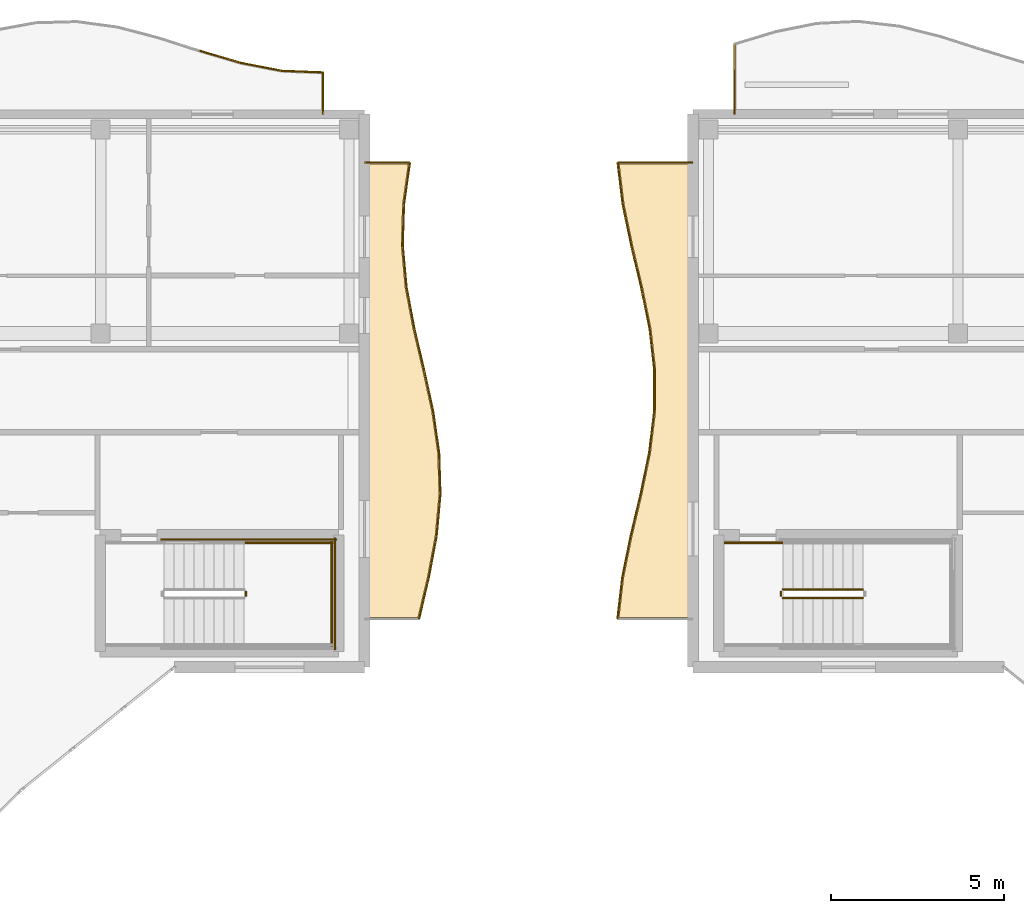
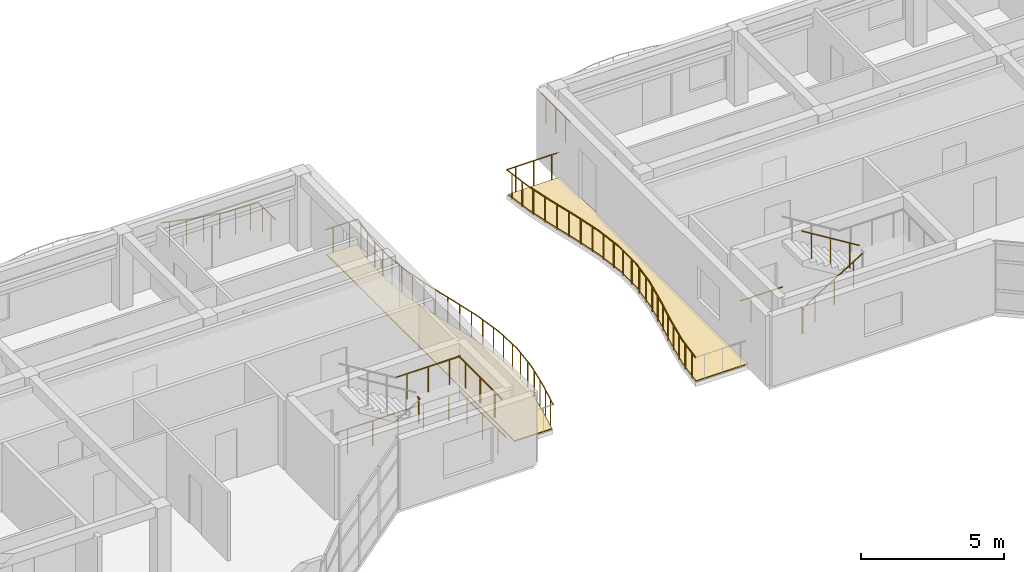
# One storey, part 65 of 68: 38 railings, 2 coverings.
"""IFC4 building model written with IfcOpenShell, lengths in metres."""

from ifc_helpers import new_model, si_unit, direction, frame, origin, origin_2d, place, context, subcontext, project, spatial, polyline, circle, outline, extrude, material, layer, layer_set, type_object, element, save


model = new_model("IFC4")

# Units and contexts
model_context = context("Model", 3, precision=1e-05, world=origin(), true_north=direction((0.0, 1.0)))
body_context = subcontext(model_context, "Body", "Model", "MODEL_VIEW")
ifc_project = project(units=[si_unit("LENGTHUNIT", "METRE"), si_unit("AREAUNIT", "SQUARE_METRE"), si_unit("VOLUMEUNIT", "CUBIC_METRE"), si_unit("PLANEANGLEUNIT", "RADIAN"), si_unit("MASSUNIT", "GRAM", prefix="KILO")], contexts=[model_context])

# Site, building, storey
site_placement = place(None, origin())
site = spatial("IfcSite", under=ifc_project, at=site_placement, CompositionType="ELEMENT")
building_placement = place(site_placement, origin())
building = spatial("IfcBuilding", under=site, at=building_placement, Name="Keldmere Railside Commons", CompositionType="ELEMENT")
storey_placement = place(building_placement, frame((0.0, 0.0, 23.360107421875)))
storey = spatial("IfcBuildingStorey", under=building, at=storey_placement, Name="L07", CompositionType="ELEMENT", Elevation=23.360107421875)

# Railings
ifc_material_1 = material(Name="Steel F-24 (S235)", Category="steel")
railing_type_1 = type_object("IfcRailingType", Name="Balcony & Terrace Steel Balustrade 1100", PredefinedType="BALUSTRADE", material=ifc_material_1)
railing_1_placement = place(storey_placement, frame((132.734375, 117.834716796875, 0.0)))
element("IfcRailing", 1, at=railing_1_placement, inside=storey, type_object=railing_type_1, Name="GR-1 GRD-L07-2663", PredefinedType="BALUSTRADE", context=body_context, shape_type="SweptSolid", body=[
    extrude(circle(Radius=0.02392578125, at=origin_2d()), frame((0.0, 0.0, 1.076171875), z_axis=(0.958764328469, -0.284202326619, 0.0), x_axis=(0.284202326619, 0.958764328469, 0.0)), (0.0, 0.0, 1.0), 1.239501953125),
    extrude(circle(Radius=0.02099609375, at=origin_2d()), frame((0.297119140625, -0.088134765625, 0.0)), (0.0, 0.0, 1.0), 1.048095703125),
    extrude(circle(Radius=0.02099609375, at=origin_2d()), frame((0.891357421875, -0.26416015625, 0.0)), (0.0, 0.0, 1.0), 1.048095703125),
])
railing_2_placement = place(storey_placement, frame((133.9228515625, 117.482421875, 0.0)))
element("IfcRailing", 2, at=railing_2_placement, inside=storey, type_object=railing_type_1, Name="GR-1 GRD-L07-2664", PredefinedType="BALUSTRADE", context=body_context, shape_type="SweptSolid", body=[
    extrude(circle(Radius=0.02392578125, at=origin_2d()), frame((0.0, 0.0, 1.076171875), z_axis=(0.981937321343, -0.189206492896, 0.0), x_axis=(0.189206492896, 0.981937321343, 0.0)), (0.0, 0.0, 1.0), 1.21044921875),
    extrude(circle(Radius=0.02099609375, at=origin_2d()), frame((0.297119140625, -0.05712890625, 0.0)), (0.0, 0.0, 1.0), 1.048095703125),
    extrude(circle(Radius=0.02099609375, at=origin_2d()), frame((0.891357421875, -0.171875, 0.0)), (0.0, 0.0, 1.0), 1.048095703125),
])
railing_3_placement = place(storey_placement, frame((135.111328125, 117.25341796875, 0.0)))
element("IfcRailing", 3, at=railing_3_placement, inside=storey, type_object=railing_type_1, Name="GR-1 GRD-L07-2665", PredefinedType="BALUSTRADE", context=body_context, shape_type="SweptSolid", body=[
    extrude(circle(Radius=0.02392578125, at=origin_2d()), frame((0.0, 0.0, 1.076171875), z_axis=(0.999247470345, -0.038787794597, 0.0), x_axis=(0.038787794597, 0.999247470345, 0.0)), (0.0, 0.0, 1.0), 1.189697265625),
    extrude(circle(Radius=0.02099609375, at=origin_2d()), frame((0.297119140625, -0.011474609375, 0.0)), (0.0, 0.0, 1.0), 1.048095703125),
    extrude(circle(Radius=0.02099609375, at=origin_2d()), frame((0.8916015625, -0.03466796875, 0.0)), (0.0, 0.0, 1.0), 1.048095703125),
])
railing_4_placement = place(storey_placement, frame((136.300048828125, 117.207275390625, 0.0)))
element("IfcRailing", 4, at=railing_4_placement, inside=storey, type_object=railing_type_1, Name="GR-1 GRD-L07-2666", PredefinedType="BALUSTRADE", context=body_context, shape_type="SweptSolid", body=[
    extrude(circle(Radius=0.02392578125, at=origin_2d()), frame((0.0, 0.0, 1.076171875), z_axis=(0.0, -1.0, 0.0), x_axis=(1.0, 0.0, 0.0)), (0.0, 0.0, 1.0), 1.207275390625),
    extrude(circle(Radius=0.02099609375, at=origin_2d()), frame((0.0, -0.3017578125, 0.0)), (0.0, 0.0, 1.0), 1.048095703125),
    extrude(circle(Radius=0.02099609375, at=origin_2d()), frame((0.0, -0.905517578125, 0.0)), (0.0, 0.0, 1.0), 1.048095703125),
])
railing_5_placement = place(storey_placement, frame((139.076904296875, 101.39990234375, 0.0)))
element("IfcRailing", 5, at=railing_5_placement, inside=storey, type_object=railing_type_1, Name="GR-1 GRD-L07-2723", PredefinedType="BALUSTRADE", context=body_context, shape_type="SweptSolid", body=[
    extrude(circle(Radius=0.02392578125, at=origin_2d()), frame((0.0, 0.0, 1.076171875), z_axis=(0.229094515737, 0.97340418268, 0.0), x_axis=(-0.97340418268, 0.229094515737, 0.0)), (0.0, 0.0, 1.0), 1.23291015625),
    extrude(circle(Radius=0.02099609375, at=origin_2d()), frame((0.070556640625, 0.300048828125, 0.0)), (0.0, 0.0, 1.0), 1.048095703125),
    extrude(circle(Radius=0.02099609375, at=origin_2d()), frame((0.2119140625, 0.900146484375, 0.0)), (0.0, 0.0, 1.0), 1.048095703125),
])
railing_6_placement = place(storey_placement, frame((139.359375, 102.60009765625, 0.0)))
element("IfcRailing", 6, at=railing_6_placement, inside=storey, type_object=railing_type_1, Name="GR-1 GRD-L07-2724", PredefinedType="BALUSTRADE", context=body_context, shape_type="SweptSolid", body=[
    extrude(circle(Radius=0.02392578125, at=origin_2d()), frame((0.0, 0.0, 1.076171875), z_axis=(0.185338648235, 0.982674709897, 0.0), x_axis=(-0.982674709897, 0.185338648235, 0.0)), (0.0, 0.0, 1.0), 1.22119140625),
    extrude(circle(Radius=0.02099609375, at=origin_2d()), frame((0.056640625, 0.300048828125, 0.0)), (0.0, 0.0, 1.0), 1.048095703125),
    extrude(circle(Radius=0.02099609375, at=origin_2d()), frame((0.169677734375, 0.89990234375, 0.0)), (0.0, 0.0, 1.0), 1.048095703125),
])
railing_7_placement = place(storey_placement, frame((139.585693359375, 103.800048828125, 0.0)))
element("IfcRailing", 7, at=railing_7_placement, inside=storey, type_object=railing_type_1, Name="GR-1 GRD-L07-2725", PredefinedType="BALUSTRADE", context=body_context, shape_type="SweptSolid", body=[
    extrude(circle(Radius=0.02392578125, at=origin_2d()), frame((0.0, 0.0, 1.076171875), z_axis=(0.090773239319, 0.995871587617, 0.0), x_axis=(-0.995871587617, 0.090773239319, 0.0)), (0.0, 0.0, 1.0), 1.204833984375),
    extrude(circle(Radius=0.02099609375, at=origin_2d()), frame((0.02734375, 0.300048828125, 0.0)), (0.0, 0.0, 1.0), 1.048095703125),
    extrude(circle(Radius=0.02099609375, at=origin_2d()), frame((0.08203125, 0.89990234375, 0.0)), (0.0, 0.0, 1.0), 1.048095703125),
])
railing_8_placement = place(storey_placement, frame((139.695068359375, 105.0, 0.0)))
element("IfcRailing", 8, at=railing_8_placement, inside=storey, type_object=railing_type_1, Name="GR-1 GRD-L07-2726", PredefinedType="BALUSTRADE", context=body_context, shape_type="SweptSolid", body=[
    extrude(circle(Radius=0.02392578125, at=origin_2d()), frame((0.0, 0.0, 1.076171875), z_axis=(-0.030301440505, 0.999540805922, 0.0), x_axis=(-0.999540805922, -0.030301440505, 0.0)), (0.0, 0.0, 1.0), 1.200439453125),
    extrude(circle(Radius=0.02099609375, at=origin_2d()), frame((-0.009033203125, 0.300048828125, 0.0)), (0.0, 0.0, 1.0), 1.048095703125),
    extrude(circle(Radius=0.02099609375, at=origin_2d()), frame((-0.02734375, 0.89990234375, 0.0)), (0.0, 0.0, 1.0), 1.048095703125),
])
railing_9_placement = place(storey_placement, frame((139.65869140625, 106.199951171875, 0.0)))
element("IfcRailing", 9, at=railing_9_placement, inside=storey, type_object=railing_type_1, Name="GR-1 GRD-L07-2727", PredefinedType="BALUSTRADE", context=body_context, shape_type="SweptSolid", body=[
    extrude(circle(Radius=0.02392578125, at=origin_2d()), frame((0.0, 0.0, 1.076171875), z_axis=(-0.142577182181, 0.989783687035, 0.0), x_axis=(-0.989783687035, -0.142577182181, 0.0)), (0.0, 0.0, 1.0), 1.21240234375),
    extrude(circle(Radius=0.02099609375, at=origin_2d()), frame((-0.043212890625, 0.300048828125, 0.0)), (0.0, 0.0, 1.0), 1.048095703125),
    extrude(circle(Radius=0.02099609375, at=origin_2d()), frame((-0.129638671875, 0.89990234375, 0.0)), (0.0, 0.0, 1.0), 1.048095703125),
])
railing_10_placement = place(storey_placement, frame((139.48583984375, 107.39990234375, 0.0)))
element("IfcRailing", 10, at=railing_10_placement, inside=storey, type_object=railing_type_1, Name="GR-1 GRD-L07-2728", PredefinedType="BALUSTRADE", context=body_context, shape_type="SweptSolid", body=[
    extrude(circle(Radius=0.02392578125, at=origin_2d()), frame((0.0, 0.0, 1.076171875), z_axis=(-0.214005017948, 0.976832561032, 0.0), x_axis=(-0.976832561032, -0.214005017948, 0.0)), (0.0, 0.0, 1.0), 1.228759765625),
    extrude(circle(Radius=0.02099609375, at=origin_2d()), frame((-0.065673828125, 0.300048828125, 0.0)), (0.0, 0.0, 1.0), 1.048095703125),
    extrude(circle(Radius=0.02099609375, at=origin_2d()), frame((-0.197265625, 0.900146484375, 0.0)), (0.0, 0.0, 1.0), 1.048095703125),
])
railing_11_placement = place(storey_placement, frame((139.222900390625, 108.60009765625, 0.0)))
element("IfcRailing", 11, at=railing_11_placement, inside=storey, type_object=railing_type_1, Name="GR-1 GRD-L07-2729", PredefinedType="BALUSTRADE", context=body_context, shape_type="SweptSolid", body=[
    extrude(circle(Radius=0.02392578125, at=origin_2d()), frame((0.0, 0.0, 1.076171875), z_axis=(-0.22895101995, 0.973437943818, 0.0), x_axis=(-0.973437943818, -0.22895101995, 0.0)), (0.0, 0.0, 1.0), 1.232666015625),
    extrude(circle(Radius=0.02099609375, at=origin_2d()), frame((-0.070556640625, 0.300048828125, 0.0)), (0.0, 0.0, 1.0), 1.048095703125),
    extrude(circle(Radius=0.02099609375, at=origin_2d()), frame((-0.211669921875, 0.89990234375, 0.0)), (0.0, 0.0, 1.0), 1.048095703125),
])
railing_12_placement = place(storey_placement, frame((138.940673828125, 109.800048828125, 0.0)))
element("IfcRailing", 12, at=railing_12_placement, inside=storey, type_object=railing_type_1, Name="GR-1 GRD-L07-2730", PredefinedType="BALUSTRADE", context=body_context, shape_type="SweptSolid", body=[
    extrude(circle(Radius=0.02392578125, at=origin_2d()), frame((0.0, 0.0, 1.076171875), z_axis=(-0.185338648235, 0.982674709897, 0.0), x_axis=(-0.982674709897, -0.185338648235, 0.0)), (0.0, 0.0, 1.0), 1.22119140625),
    extrude(circle(Radius=0.02099609375, at=origin_2d()), frame((-0.056640625, 0.300048828125, 0.0)), (0.0, 0.0, 1.0), 1.048095703125),
    extrude(circle(Radius=0.02099609375, at=origin_2d()), frame((-0.169677734375, 0.89990234375, 0.0)), (0.0, 0.0, 1.0), 1.048095703125),
])
railing_13_placement = place(storey_placement, frame((138.71435546875, 111.0, 0.0)))
element("IfcRailing", 13, at=railing_13_placement, inside=storey, type_object=railing_type_1, Name="GR-1 GRD-L07-2731", PredefinedType="BALUSTRADE", context=body_context, shape_type="SweptSolid", body=[
    extrude(circle(Radius=0.02392578125, at=origin_2d()), frame((0.0, 0.0, 1.076171875), z_axis=(-0.090773239319, 0.995871587617, 0.0), x_axis=(-0.995871587617, -0.090773239319, 0.0)), (0.0, 0.0, 1.0), 1.204833984375),
    extrude(circle(Radius=0.02099609375, at=origin_2d()), frame((-0.02734375, 0.300048828125, 0.0)), (0.0, 0.0, 1.0), 1.048095703125),
    extrude(circle(Radius=0.02099609375, at=origin_2d()), frame((-0.08203125, 0.89990234375, 0.0)), (0.0, 0.0, 1.0), 1.048095703125),
])
railing_14_placement = place(storey_placement, frame((138.60498046875, 112.199951171875, 0.0)))
element("IfcRailing", 14, at=railing_14_placement, inside=storey, type_object=railing_type_1, Name="GR-1 GRD-L07-2732", PredefinedType="BALUSTRADE", context=body_context, shape_type="SweptSolid", body=[
    extrude(circle(Radius=0.02392578125, at=origin_2d()), frame((0.0, 0.0, 1.076171875), z_axis=(0.030301440505, 0.999540805922, 0.0), x_axis=(-0.999540805922, 0.030301440505, 0.0)), (0.0, 0.0, 1.0), 1.200439453125),
    extrude(circle(Radius=0.02099609375, at=origin_2d()), frame((0.009033203125, 0.300048828125, 0.0)), (0.0, 0.0, 1.0), 1.048095703125),
    extrude(circle(Radius=0.02099609375, at=origin_2d()), frame((0.02734375, 0.89990234375, 0.0)), (0.0, 0.0, 1.0), 1.048095703125),
])
railing_15_placement = place(storey_placement, frame((138.641357421875, 113.39990234375, 0.0)))
element("IfcRailing", 15, at=railing_15_placement, inside=storey, type_object=railing_type_1, Name="GR-1 GRD-L07-2733", PredefinedType="BALUSTRADE", context=body_context, shape_type="SweptSolid", body=[
    extrude(circle(Radius=0.02392578125, at=origin_2d()), frame((0.0, 0.0, 1.076171875), z_axis=(0.142548768897, 0.989787779519, 0.0), x_axis=(-0.989787779519, 0.142548768897, 0.0)), (0.0, 0.0, 1.0), 1.212646484375),
    extrude(circle(Radius=0.02099609375, at=origin_2d()), frame((0.043212890625, 0.300048828125, 0.0)), (0.0, 0.0, 1.0), 1.048095703125),
    extrude(circle(Radius=0.02099609375, at=origin_2d()), frame((0.129638671875, 0.900146484375, 0.0)), (0.0, 0.0, 1.0), 1.048095703125),
])
railing_16_placement = place(storey_placement, frame((138.814208984375, 114.60009765625, 0.0)))
element("IfcRailing", 16, at=railing_16_placement, inside=storey, type_object=railing_type_1, Name="GR-1 GRD-L07-2734", PredefinedType="BALUSTRADE", context=body_context, shape_type="SweptSolid", body=[
    extrude(circle(Radius=0.02392578125, at=origin_2d()), frame((0.0, 0.0, 1.076171875), z_axis=(-1.0, 0.0, 0.0), x_axis=(0.0, -1.0, 0.0)), (0.0, 0.0, 1.0), 1.314208984375),
    extrude(circle(Radius=0.02099609375, at=origin_2d()), frame((-0.32861328125, 0.0, 0.0)), (0.0, 0.0, 1.0), 1.048095703125),
    extrude(circle(Radius=0.02099609375, at=origin_2d()), frame((-0.985595703125, 0.0, 0.0)), (0.0, 0.0, 1.0), 1.048095703125),
])
railing_17_placement = place(storey_placement, frame((148.199951171875, 116.0, 0.0)))
element("IfcRailing", 17, at=railing_17_placement, inside=storey, type_object=railing_type_1, Name="GR-1 GRD-L07-3954", PredefinedType="BALUSTRADE", context=body_context, shape_type="SweptSolid", body=[
    extrude(circle(Radius=0.02392578125, at=origin_2d()), frame((0.0, 0.0, 1.076171875), z_axis=(0.0, 1.0, 0.0), x_axis=(-1.0, 0.0, 0.0)), (0.0, 0.0, 1.0), 2.037353515625),
    extrude(circle(Radius=0.02099609375, at=origin_2d()), frame((0.0, 0.339599609375, 0.0)), (0.0, 0.0, 1.0), 1.048095703125),
    extrude(circle(Radius=0.02099609375, at=origin_2d()), frame((0.0, 1.0185546875, 0.0)), (0.0, 0.0, 1.0), 1.048095703125),
    extrude(circle(Radius=0.02099609375, at=origin_2d()), frame((0.0, 1.69775390625, 0.0)), (0.0, 0.0, 1.0), 1.048095703125),
])
railing_18_placement = place(storey_placement, frame((144.816650390625, 101.39990234375, 0.0)))
element("IfcRailing", 18, at=railing_18_placement, inside=storey, type_object=railing_type_1, Name="GR-1 GRD-L07-4062", PredefinedType="BALUSTRADE", context=body_context, shape_type="SweptSolid", body=[
    extrude(circle(Radius=0.02392578125, at=origin_2d()), frame((0.0, 0.0, 1.076171875), z_axis=(0.114578087235, 0.993414244878, 0.0), x_axis=(-0.993414244878, 0.114578087235, 0.0)), (0.0, 0.0, 1.0), 1.208251953125),
    extrude(circle(Radius=0.02099609375, at=origin_2d()), frame((0.03466796875, 0.300048828125, 0.0)), (0.0, 0.0, 1.0), 1.048095703125),
    extrude(circle(Radius=0.02099609375, at=origin_2d()), frame((0.103759765625, 0.900146484375, 0.0)), (0.0, 0.0, 1.0), 1.048095703125),
])
railing_19_placement = place(storey_placement, frame((144.955078125, 102.60009765625, 0.0)))
element("IfcRailing", 19, at=railing_19_placement, inside=storey, type_object=railing_type_1, Name="GR-1 GRD-L07-4063", PredefinedType="BALUSTRADE", context=body_context, shape_type="SweptSolid", body=[
    extrude(circle(Radius=0.02392578125, at=origin_2d()), frame((0.0, 0.0, 1.076171875), z_axis=(0.199374050903, 0.979923460188, 0.0), x_axis=(-0.979923460188, 0.199374050903, 0.0)), (0.0, 0.0, 1.0), 1.224609375),
    extrude(circle(Radius=0.02099609375, at=origin_2d()), frame((0.06103515625, 0.300048828125, 0.0)), (0.0, 0.0, 1.0), 1.048095703125),
    extrude(circle(Radius=0.02099609375, at=origin_2d()), frame((0.18310546875, 0.89990234375, 0.0)), (0.0, 0.0, 1.0), 1.048095703125),
])
railing_20_placement = place(storey_placement, frame((145.19921875, 103.800048828125, 0.0)))
element("IfcRailing", 20, at=railing_20_placement, inside=storey, type_object=railing_type_1, Name="GR-1 GRD-L07-4064", PredefinedType="BALUSTRADE", context=body_context, shape_type="SweptSolid", body=[
    extrude(circle(Radius=0.02392578125, at=origin_2d()), frame((0.0, 0.0, 1.076171875), z_axis=(0.230826468553, 0.97299493391, 0.0), x_axis=(-0.97299493391, 0.230826468553, 0.0)), (0.0, 0.0, 1.0), 1.233154296875),
    extrude(circle(Radius=0.02099609375, at=origin_2d()), frame((0.0712890625, 0.300048828125, 0.0)), (0.0, 0.0, 1.0), 1.048095703125),
    extrude(circle(Radius=0.02099609375, at=origin_2d()), frame((0.21337890625, 0.89990234375, 0.0)), (0.0, 0.0, 1.0), 1.048095703125),
])
railing_21_placement = place(storey_placement, frame((145.48388671875, 105.0, 0.0)))
element("IfcRailing", 21, at=railing_21_placement, inside=storey, type_object=railing_type_1, Name="GR-1 GRD-L07-4065", PredefinedType="BALUSTRADE", context=body_context, shape_type="SweptSolid", body=[
    extrude(circle(Radius=0.02392578125, at=origin_2d()), frame((0.0, 0.0, 1.076171875), z_axis=(0.20300743886, 0.979177195286, 0.0), x_axis=(-0.979177195286, 0.20300743886, 0.0)), (0.0, 0.0, 1.0), 1.2255859375),
    extrude(circle(Radius=0.02099609375, at=origin_2d()), frame((0.062255859375, 0.300048828125, 0.0)), (0.0, 0.0, 1.0), 1.048095703125),
    extrude(circle(Radius=0.02099609375, at=origin_2d()), frame((0.1865234375, 0.89990234375, 0.0)), (0.0, 0.0, 1.0), 1.048095703125),
])
railing_22_placement = place(storey_placement, frame((145.732666015625, 106.199951171875, 0.0)))
element("IfcRailing", 22, at=railing_22_placement, inside=storey, type_object=railing_type_1, Name="GR-1 GRD-L07-4066", PredefinedType="BALUSTRADE", context=body_context, shape_type="SweptSolid", body=[
    extrude(circle(Radius=0.02392578125, at=origin_2d()), frame((0.0, 0.0, 1.076171875), z_axis=(0.120976714513, 0.992655345296, 0.0), x_axis=(-0.992655345296, 0.120976714513, 0.0)), (0.0, 0.0, 1.0), 1.208740234375),
    extrude(circle(Radius=0.02099609375, at=origin_2d()), frame((0.03662109375, 0.300048828125, 0.0)), (0.0, 0.0, 1.0), 1.048095703125),
    extrude(circle(Radius=0.02099609375, at=origin_2d()), frame((0.109619140625, 0.89990234375, 0.0)), (0.0, 0.0, 1.0), 1.048095703125),
])
railing_23_placement = place(storey_placement, frame((145.87890625, 107.39990234375, 0.0)))
element("IfcRailing", 23, at=railing_23_placement, inside=storey, type_object=railing_type_1, Name="GR-1 GRD-L07-4067", PredefinedType="BALUSTRADE", context=body_context, shape_type="SweptSolid", body=[
    extrude(circle(Radius=0.02392578125, at=origin_2d()), frame((0.0, 0.0, 1.076171875), z_axis=(0.003661488881, 0.999993296727, 0.0), x_axis=(-0.999993296727, 0.003661488881, 0.0)), (0.0, 0.0, 1.0), 1.2001953125),
    extrude(circle(Radius=0.02099609375, at=origin_2d()), frame((0.0009765625, 0.300048828125, 0.0)), (0.0, 0.0, 1.0), 1.048095703125),
    extrude(circle(Radius=0.02099609375, at=origin_2d()), frame((0.00341796875, 0.900146484375, 0.0)), (0.0, 0.0, 1.0), 1.048095703125),
])
railing_24_placement = place(storey_placement, frame((145.88330078125, 108.60009765625, 0.0)))
element("IfcRailing", 24, at=railing_24_placement, inside=storey, type_object=railing_type_1, Name="GR-1 GRD-L07-4068", PredefinedType="BALUSTRADE", context=body_context, shape_type="SweptSolid", body=[
    extrude(circle(Radius=0.02392578125, at=origin_2d()), frame((0.0, 0.0, 1.076171875), z_axis=(-0.114401622267, 0.993434582055, 0.0), x_axis=(-0.993434582055, -0.114401622267, 0.0)), (0.0, 0.0, 1.0), 1.207763671875),
    extrude(circle(Radius=0.02099609375, at=origin_2d()), frame((-0.03466796875, 0.300048828125, 0.0)), (0.0, 0.0, 1.0), 1.048095703125),
    extrude(circle(Radius=0.02099609375, at=origin_2d()), frame((-0.103515625, 0.89990234375, 0.0)), (0.0, 0.0, 1.0), 1.048095703125),
])
railing_25_placement = place(storey_placement, frame((145.7451171875, 109.800048828125, 0.0)))
element("IfcRailing", 25, at=railing_25_placement, inside=storey, type_object=railing_type_1, Name="GR-1 GRD-L07-4069", PredefinedType="BALUSTRADE", context=body_context, shape_type="SweptSolid", body=[
    extrude(circle(Radius=0.02392578125, at=origin_2d()), frame((0.0, 0.0, 1.076171875), z_axis=(-0.199565488415, 0.979884491067, 0.0), x_axis=(-0.979884491067, -0.199565488415, 0.0)), (0.0, 0.0, 1.0), 1.224609375),
    extrude(circle(Radius=0.02099609375, at=origin_2d()), frame((-0.06103515625, 0.300048828125, 0.0)), (0.0, 0.0, 1.0), 1.048095703125),
    extrude(circle(Radius=0.02099609375, at=origin_2d()), frame((-0.183349609375, 0.89990234375, 0.0)), (0.0, 0.0, 1.0), 1.048095703125),
])
railing_26_placement = place(storey_placement, frame((145.500732421875, 111.0, 0.0)))
element("IfcRailing", 26, at=railing_26_placement, inside=storey, type_object=railing_type_1, Name="GR-1 GRD-L07-4070", PredefinedType="BALUSTRADE", context=body_context, shape_type="SweptSolid", body=[
    extrude(circle(Radius=0.02392578125, at=origin_2d()), frame((0.0, 0.0, 1.076171875), z_axis=(-0.230826468553, 0.97299493391, 0.0), x_axis=(-0.97299493391, -0.230826468553, 0.0)), (0.0, 0.0, 1.0), 1.233154296875),
    extrude(circle(Radius=0.02099609375, at=origin_2d()), frame((-0.0712890625, 0.300048828125, 0.0)), (0.0, 0.0, 1.0), 1.048095703125),
    extrude(circle(Radius=0.02099609375, at=origin_2d()), frame((-0.21337890625, 0.89990234375, 0.0)), (0.0, 0.0, 1.0), 1.048095703125),
])
railing_27_placement = place(storey_placement, frame((145.216064453125, 112.199951171875, 0.0)))
element("IfcRailing", 27, at=railing_27_placement, inside=storey, type_object=railing_type_1, Name="GR-1 GRD-L07-4071", PredefinedType="BALUSTRADE", context=body_context, shape_type="SweptSolid", body=[
    extrude(circle(Radius=0.02392578125, at=origin_2d()), frame((0.0, 0.0, 1.076171875), z_axis=(-0.20300743886, 0.979177195286, 0.0), x_axis=(-0.979177195286, -0.20300743886, 0.0)), (0.0, 0.0, 1.0), 1.2255859375),
    extrude(circle(Radius=0.02099609375, at=origin_2d()), frame((-0.062255859375, 0.300048828125, 0.0)), (0.0, 0.0, 1.0), 1.048095703125),
    extrude(circle(Radius=0.02099609375, at=origin_2d()), frame((-0.1865234375, 0.89990234375, 0.0)), (0.0, 0.0, 1.0), 1.048095703125),
])
railing_28_placement = place(storey_placement, frame((144.96728515625, 113.39990234375, 0.0)))
element("IfcRailing", 28, at=railing_28_placement, inside=storey, type_object=railing_type_1, Name="GR-1 GRD-L07-4072", PredefinedType="BALUSTRADE", context=body_context, shape_type="SweptSolid", body=[
    extrude(circle(Radius=0.02392578125, at=origin_2d()), frame((0.0, 0.0, 1.076171875), z_axis=(-0.120952465793, 0.992658300232, 0.0), x_axis=(-0.992658300232, -0.120952465793, 0.0)), (0.0, 0.0, 1.0), 1.208984375),
    extrude(circle(Radius=0.02099609375, at=origin_2d()), frame((-0.03662109375, 0.300048828125, 0.0)), (0.0, 0.0, 1.0), 1.048095703125),
    extrude(circle(Radius=0.02099609375, at=origin_2d()), frame((-0.109619140625, 0.900146484375, 0.0)), (0.0, 0.0, 1.0), 1.048095703125),
])
railing_29_placement = place(storey_placement, frame((144.821044921875, 114.60009765625, 0.0)))
element("IfcRailing", 29, at=railing_29_placement, inside=storey, type_object=railing_type_1, Name="GR-1 GRD-L07-4073", PredefinedType="BALUSTRADE", context=body_context, shape_type="SweptSolid", body=[
    extrude(circle(Radius=0.02392578125, at=origin_2d()), frame((0.0, 0.0, 1.076171875), z_axis=(1.0, 0.0, 0.0), x_axis=(0.0, 1.0, 0.0)), (0.0, 0.0, 1.0), 2.178955078125),
    extrude(circle(Radius=0.02099609375, at=origin_2d()), frame((0.36328125, 0.0, 0.0)), (0.0, 0.0, 1.0), 1.048095703125),
    extrude(circle(Radius=0.02099609375, at=origin_2d()), frame((1.08935546875, 0.0, 0.0)), (0.0, 0.0, 1.0), 1.048095703125),
    extrude(circle(Radius=0.02099609375, at=origin_2d()), frame((1.81591796875, 0.0, 0.0)), (0.0, 0.0, 1.0), 1.048095703125),
])
railing_type_2 = type_object("IfcRailingType", Name="Stair Well Steel Guardrail 1100", PredefinedType="BALUSTRADE", material=ifc_material_1)
railing_30_placement = place(storey_placement, frame((134.070068359375, 102.050048828125, 1.599853515625)))
element("IfcRailing", 30, at=railing_30_placement, inside=storey, type_object=railing_type_2, Name="L07 ST-B2 stair guard 2", PredefinedType="BALUSTRADE", context=body_context, shape_type="SweptSolid", body=[
    extrude(circle(Radius=0.02392578125, at=origin_2d()), frame((0.0, 0.0, 1.076171875), z_axis=(0.0, 1.0, 0.0), x_axis=(-1.0, 0.0, 0.0)), (0.0, 0.0, 1.0), 0.14990234375),
    extrude(circle(Radius=0.02099609375, at=origin_2d()), frame((0.0, 0.074951171875, 0.0)), (0.0, 0.0, 1.0), 1.048095703125),
])
railing_31_placement = place(storey_placement, frame((134.02001953125, 103.60009765625, 1.599853515625)))
element("IfcRailing", 31, at=railing_31_placement, inside=storey, type_object=railing_type_2, Name="L07 ST-B2 stair guard 4", PredefinedType="BALUSTRADE", context=body_context, shape_type="SweptSolid", body=[
    extrude(circle(Radius=0.02392578125, at=origin_2d()), frame((0.0, 0.0, 1.076171875), z_axis=(1.0, 0.0, 0.0), x_axis=(0.0, 1.0, 0.0)), (0.0, 0.0, 1.0), 2.580078125),
    extrude(circle(Radius=0.02099609375, at=origin_2d()), frame((0.429931640625, 0.0, 0.0)), (0.0, 0.0, 1.0), 1.048095703125),
    extrude(circle(Radius=0.02099609375, at=origin_2d()), frame((1.2900390625, 0.0, 0.0)), (0.0, 0.0, 1.0), 1.048095703125),
    extrude(circle(Radius=0.02099609375, at=origin_2d()), frame((2.150146484375, 0.0, 0.0)), (0.0, 0.0, 1.0), 1.048095703125),
])
railing_32_placement = place(storey_placement, frame((136.550048828125, 100.60009765625, 1.599853515625)))
element("IfcRailing", 32, at=railing_32_placement, inside=storey, type_object=railing_type_2, Name="L07 ST-B2 stair guard 5", PredefinedType="BALUSTRADE", context=body_context, shape_type="SweptSolid", body=[
    extrude(circle(Radius=0.02392578125, at=origin_2d()), frame((0.0, 0.0, 1.076171875), z_axis=(0.0, 1.0, 0.0), x_axis=(-1.0, 0.0, 0.0)), (0.0, 0.0, 1.0), 3.0498046875),
    extrude(circle(Radius=0.02099609375, at=origin_2d()), frame((0.0, 0.50830078125, 0.0)), (0.0, 0.0, 1.0), 1.048095703125),
    extrude(circle(Radius=0.02099609375, at=origin_2d()), frame((0.0, 1.52490234375, 0.0)), (0.0, 0.0, 1.0), 1.048095703125),
    extrude(circle(Radius=0.02099609375, at=origin_2d()), frame((0.0, 2.54150390625, 0.0)), (0.0, 0.0, 1.0), 1.048095703125),
])
railing_33_placement = place(storey_placement, frame((131.60009765625, 103.699951171875, 0.0)))
element("IfcRailing", 33, at=railing_33_placement, inside=storey, type_object=railing_type_2, Name="L07 ST-B2 stair guard 11", PredefinedType="BALUSTRADE", context=body_context, shape_type="SweptSolid", body=[
    extrude(circle(Radius=0.02392578125, at=origin_2d()), frame((0.0, 0.0, 1.076171875), z_axis=(1.0, 0.0, 0.0), x_axis=(0.0, 1.0, 0.0)), (0.0, 0.0, 1.0), 5.099853515625),
    extrude(circle(Radius=0.02099609375, at=origin_2d()), frame((0.510009765625, 0.0, 0.0)), (0.0, 0.0, 1.0), 1.048095703125),
    extrude(circle(Radius=0.02099609375, at=origin_2d()), frame((1.530029296875, 0.0, 0.0)), (0.0, 0.0, 1.0), 1.048095703125),
    extrude(circle(Radius=0.02099609375, at=origin_2d()), frame((2.5498046875, 0.0, 0.0)), (0.0, 0.0, 1.0), 1.048095703125),
    extrude(circle(Radius=0.02099609375, at=origin_2d()), frame((3.56982421875, 0.0, 0.0)), (0.0, 0.0, 1.0), 1.048095703125),
    extrude(circle(Radius=0.02099609375, at=origin_2d()), frame((4.58984375, 0.0, 0.0)), (0.0, 0.0, 1.0), 1.048095703125),
])
railing_34_placement = place(storey_placement, frame((136.64990234375, 100.5, 0.0)))
element("IfcRailing", 34, at=railing_34_placement, inside=storey, type_object=railing_type_2, Name="L07 ST-B2 stair guard 12", PredefinedType="BALUSTRADE", context=body_context, shape_type="SweptSolid", body=[
    extrude(circle(Radius=0.02392578125, at=origin_2d()), frame((0.0, 0.0, 1.076171875), z_axis=(0.0, 1.0, 0.0), x_axis=(-1.0, 0.0, 0.0)), (0.0, 0.0, 1.0), 3.25),
    extrude(circle(Radius=0.02099609375, at=origin_2d()), frame((0.0, 0.541748046875, 0.0)), (0.0, 0.0, 1.0), 1.048095703125),
    extrude(circle(Radius=0.02099609375, at=origin_2d()), frame((0.0, 1.625, 0.0)), (0.0, 0.0, 1.0), 1.048095703125),
    extrude(circle(Radius=0.02099609375, at=origin_2d()), frame((0.0, 2.708251953125, 0.0)), (0.0, 0.0, 1.0), 1.048095703125),
])
railing_35_placement = place(storey_placement, frame((149.60009765625, 102.0, 0.177734375)))
element("IfcRailing", 35, at=railing_35_placement, inside=storey, type_object=railing_type_2, Name="L07 ST-A2 stair guard 1", PredefinedType="BALUSTRADE", context=body_context, shape_type="SweptSolid", body=[
    extrude(circle(Radius=0.02392578125, at=origin_2d()), frame((0.0, 0.0, 1.076171875), z_axis=(0.85255353654, 0.0, 0.522639902162), x_axis=(0.0, 1.0, 0.0)), (0.0, 0.0, 1.0), 2.720947265625),
    extrude(circle(Radius=0.02099609375, at=origin_2d()), frame((0.38671875, 0.0, 0.237060546875)), (0.0, 0.0, 1.0), 1.048095703125),
    extrude(circle(Radius=0.02099609375, at=origin_2d()), frame((1.159912109375, 0.0, 0.7109375)), (0.0, 0.0, 1.0), 1.048095703125),
    extrude(circle(Radius=0.02099609375, at=origin_2d()), frame((1.93310546875, 0.0, 1.18505859375)), (0.0, 0.0, 1.0), 1.048095703125),
])
railing_36_placement = place(storey_placement, frame((151.919921875, 102.25, 1.777587890625)))
element("IfcRailing", 36, at=railing_36_placement, inside=storey, type_object=railing_type_2, Name="L07 ST-A2 stair guard 6", PredefinedType="BALUSTRADE", context=body_context, shape_type="SweptSolid", body=[
    extrude(circle(Radius=0.02392578125, at=origin_2d()), frame((0.0, 0.0, 1.076171875), z_axis=(-0.852513557019, 0.0, 0.522705112944), x_axis=(0.0, -1.0, 0.0)), (0.0, 0.0, 1.0), 2.72119140625),
    extrude(circle(Radius=0.02099609375, at=origin_2d()), frame((-0.38671875, 0.0, 0.237060546875)), (0.0, 0.0, 1.0), 1.048095703125),
    extrude(circle(Radius=0.02099609375, at=origin_2d()), frame((-1.159912109375, 0.0, 0.711181640625)), (0.0, 0.0, 1.0), 1.048095703125),
    extrude(circle(Radius=0.02099609375, at=origin_2d()), frame((-1.93310546875, 0.0, 1.185302734375)), (0.0, 0.0, 1.0), 1.048095703125),
])
railing_37_placement = place(storey_placement, frame((149.550048828125, 102.050048828125, 0.0)))
element("IfcRailing", 37, at=railing_37_placement, inside=storey, type_object=railing_type_2, Name="L07 ST-A2 stair guard 7", PredefinedType="BALUSTRADE", context=body_context, shape_type="SweptSolid", body=[
    extrude(circle(Radius=0.02392578125, at=origin_2d()), frame((0.0, 0.0, 1.076171875), z_axis=(0.0, 1.0, 0.0), x_axis=(-1.0, 0.0, 0.0)), (0.0, 0.0, 1.0), 0.14990234375),
    extrude(circle(Radius=0.02099609375, at=origin_2d()), frame((0.0, 0.074951171875, 0.0)), (0.0, 0.0, 1.0), 1.048095703125),
])
railing_38_placement = place(storey_placement, frame((147.89990234375, 103.60009765625, 0.0)))
element("IfcRailing", 38, at=railing_38_placement, inside=storey, type_object=railing_type_2, Name="L07 ST-A2 stair guard 9", PredefinedType="BALUSTRADE", context=body_context, shape_type="SweptSolid", body=[
    extrude(circle(Radius=0.02392578125, at=origin_2d()), frame((0.0, 0.0, 1.076171875), z_axis=(1.0, 0.0, 0.0), x_axis=(0.0, 1.0, 0.0)), (0.0, 0.0, 1.0), 1.7001953125),
    extrude(circle(Radius=0.02099609375, at=origin_2d()), frame((0.425048828125, 0.0, 0.0)), (0.0, 0.0, 1.0), 1.048095703125),
    extrude(circle(Radius=0.02099609375, at=origin_2d()), frame((1.275146484375, 0.0, 0.0)), (0.0, 0.0, 1.0), 1.048095703125),
])

# Coverings
ifc_material_2 = material(Name="White Precast Concrete C35/45", Category="concrete")
ifc_layer = layer(ifc_material_2, 0.044921875, Name="White Architectural Balcony Ribbon Cladding 45")
ifc_layer_set = layer_set([ifc_layer], Name="White Precast Concrete C35/45")
covering_type = type_object("IfcCoveringType", Name="White Architectural Balcony Ribbon Cladding 45", PredefinedType="FLOORING", material=ifc_layer_set)
covering_1_placement = place(storey_placement, origin())
element("IfcCovering", 39, at=covering_1_placement, inside=storey, type_object=covering_type, Name="CLG-WB B L07 WE White Balcony Ribbon", PredefinedType="FLOORING", context=body_context, shape_type="SweptSolid", body=[
    extrude(outline(polyline([(139.3203125, 102.6083984375), (139.5458984375, 103.805419921875), (139.655029296875, 105.001220703125), (139.61865234375, 106.196533203125), (139.4462890625, 107.392822265625), (139.18408203125, 108.591064453125), (138.90185546875, 109.790771484375), (138.9013671875, 109.79248046875), (138.675048828125, 110.99267578125), (138.674560546875, 110.996337890625), (138.565185546875, 112.1962890625), (138.56494140625, 112.201171875), (138.601318359375, 113.401123046875), (138.601806640625, 113.40576171875), (138.76806640625, 114.56005859375), (137.5400390625, 114.56005859375), (137.5400390625, 101.43994140625), (139.04541015625, 101.43994140625), (139.3203125, 102.6083984375)])), origin(), (0.0, 0.0, 1.0), 0.044921875),
])
covering_2_placement = place(storey_placement, origin())
element("IfcCovering", 40, at=covering_2_placement, inside=storey, type_object=covering_type, Name="CLG-WB A L07 WW White Balcony Ribbon", PredefinedType="FLOORING", context=body_context, shape_type="SweptSolid", body=[
    extrude(outline(polyline([(146.9599609375, 114.56005859375), (144.8662109375, 114.56005859375), (145.0068359375, 113.406494140625), (145.255126953125, 112.208740234375), (145.53955078125, 111.00927734375), (145.539794921875, 111.008056640625), (145.7841796875, 109.80810546875), (145.78466796875, 109.8046875), (145.923095703125, 108.6044921875), (145.92333984375, 108.599853515625), (145.9189453125, 107.39990234375), (145.918701171875, 107.395263671875), (145.7724609375, 106.1953125), (145.77197265625, 106.19189453125), (145.523193359375, 104.991943359375), (145.522705078125, 104.99072265625), (145.23828125, 103.79150390625), (144.994384765625, 102.59375), (144.861572265625, 101.43994140625), (146.9599609375, 101.43994140625), (146.9599609375, 114.56005859375)])), origin(), (0.0, 0.0, 1.0), 0.044921875),
])

save(model, "model.ifc")
